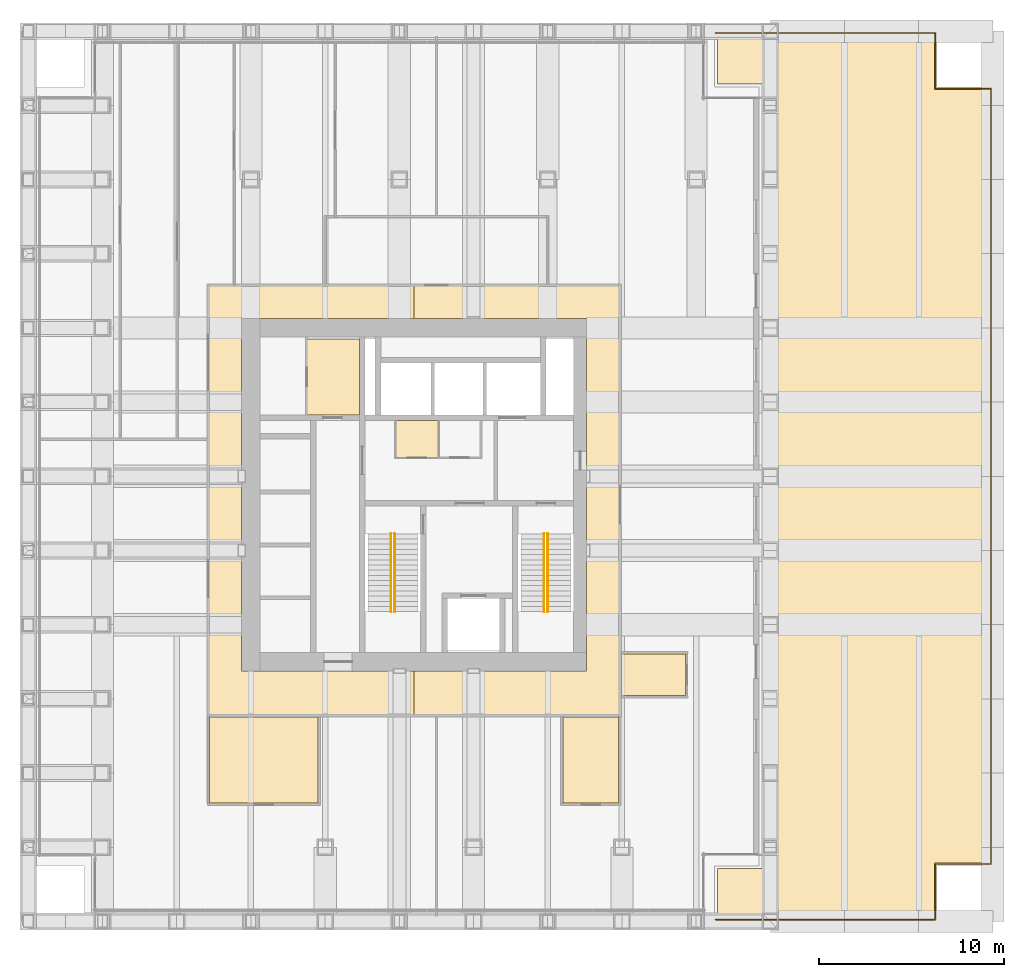
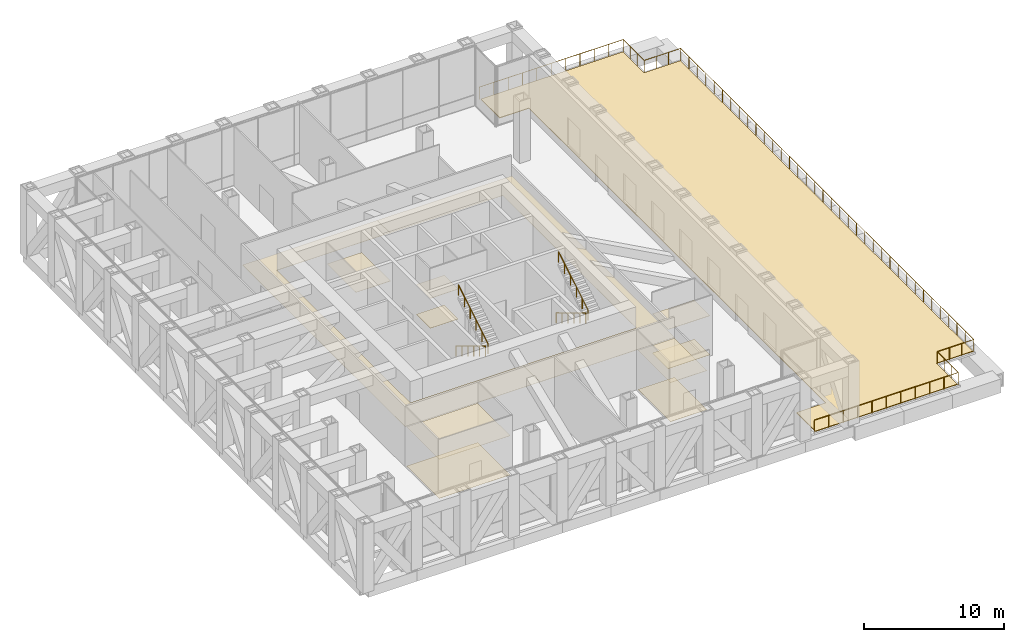
# One storey, part 13 of 13: 12 coverings, 5 railings.
"""IFC4 building model written with IfcOpenShell, lengths in metres."""

from ifc_helpers import new_model, si_unit, direction, frame, origin, origin_2d, place, context, subcontext, project, spatial, polyline, circle, outline, extrude, material, layer, layer_set, type_object, element, save


model = new_model("IFC4")

# Units and contexts
model_context = context("Model", 3, precision=1e-05, world=origin(), true_north=direction((0.0, 1.0)))
body_context = subcontext(model_context, "Body", "Model", "MODEL_VIEW")
ifc_project = project(units=[si_unit("LENGTHUNIT", "METRE"), si_unit("AREAUNIT", "SQUARE_METRE"), si_unit("VOLUMEUNIT", "CUBIC_METRE"), si_unit("PLANEANGLEUNIT", "RADIAN"), si_unit("MASSUNIT", "GRAM", prefix="KILO")], contexts=[model_context])

# Site, building, storey
site_placement = place(None, origin())
site = spatial("IfcSite", under=ifc_project, at=site_placement, CompositionType="ELEMENT")
building_placement = place(site_placement, origin())
building = spatial("IfcBuilding", under=site, at=building_placement, Name="Rimbunsela Tower", CompositionType="ELEMENT")
storey_placement = place(building_placement, frame((0.0, 0.0, 137.39990234375)))
storey = spatial("IfcBuildingStorey", under=building, at=storey_placement, Name="L33", CompositionType="ELEMENT", Elevation=137.39990234375)

# Coverings
ifc_material_1 = material(Name="Nylon carpet tile", Category="textile")
ifc_layer_1 = layer(ifc_material_1, 0.010009765625)
ifc_layer_set_1 = layer_set([ifc_layer_1], Name="Carpet tile 10")
covering_type_1 = type_object("IfcCoveringType", Name="Carpet tile 10", PredefinedType="FLOORING", material=ifc_layer_set_1)
covering_1_placement = place(storey_placement, origin())
element("IfcCovering", 1, at=covering_1_placement, inside=storey, type_object=covering_type_1, Name="Floor finish Maintenance workshop", PredefinedType="FLOORING", context=body_context, shape_type="SweptSolid", body=[
    extrude(outline(polyline([(21.625, 10.375), (21.625, 15.02490234375), (15.77490234375, 15.02490234375), (15.77490234375, 10.375), (21.625, 10.375)])), origin(), (0.0, 0.0, 1.0), 0.010009765625),
])
covering_2_placement = place(storey_placement, origin())
element("IfcCovering", 2, at=covering_2_placement, inside=storey, type_object=covering_type_1, Name="Floor finish First aid room", PredefinedType="FLOORING", context=body_context, shape_type="SweptSolid", body=[
    extrude(outline(polyline([(37.824951171875, 10.375), (37.824951171875, 15.02490234375), (34.824951171875, 15.02490234375), (34.824951171875, 10.375), (37.824951171875, 10.375)])), origin(), (0.0, 0.0, 1.0), 0.010009765625),
])
covering_3_placement = place(storey_placement, origin())
element("IfcCovering", 3, at=covering_3_placement, inside=storey, type_object=covering_type_1, Name="Floor finish Quiet room", PredefinedType="FLOORING", context=body_context, shape_type="SweptSolid", body=[
    extrude(outline(polyline([(41.425048828125, 16.175048828125), (41.425048828125, 18.425048828125), (37.97509765625, 18.425048828125), (37.97509765625, 16.175048828125), (41.425048828125, 16.175048828125)])), origin(), (0.0, 0.0, 1.0), 0.010009765625),
])
ifc_material_2 = material(Name="Mineral fibre ceiling tile", Category="gypsum")
ifc_layer_2 = layer(ifc_material_2, 0.02001953125)
ifc_layer_set_2 = layer_set([ifc_layer_2], Name="Ceiling 600 grid")
covering_type_2 = type_object("IfcCoveringType", Name="Ceiling 600 grid", PredefinedType="CEILING", material=ifc_layer_set_2)
covering_4_placement = place(storey_placement, frame((0.0, 0.0, 3.400146484375)))
element("IfcCovering", 4, at=covering_4_placement, inside=storey, type_object=covering_type_2, Name="Ceiling IT room", PredefinedType="CEILING", context=body_context, shape_type="SweptSolid", body=[
    extrude(outline(polyline([(23.85009765625, 31.300048828125), (23.85009765625, 35.39990234375), (21.0, 35.39990234375), (21.0, 31.300048828125), (23.85009765625, 31.300048828125)])), origin(), (0.0, 0.0, 1.0), 0.02001953125),
])
covering_5_placement = place(storey_placement, frame((0.0, 0.0, 3.400146484375)))
element("IfcCovering", 5, at=covering_5_placement, inside=storey, type_object=covering_type_2, Name="Ceiling Ring corridor", PredefinedType="CEILING", context=body_context, shape_type="SweptSolid", body=[
    extrude(outline(polyline([(15.699951171875, 38.300048828125), (26.800048828125, 38.300048828125), (26.800048828125, 36.5), (17.5, 36.5), (17.5, 17.5), (26.800048828125, 17.5), (26.800048828125, 15.10009765625), (15.699951171875, 15.10009765625), (15.699951171875, 38.300048828125)])), origin(), (0.0, 0.0, 1.0), 0.02001953125),
])
covering_6_placement = place(storey_placement, frame((0.0, 0.0, 3.400146484375)))
element("IfcCovering", 6, at=covering_6_placement, inside=storey, type_object=covering_type_2, Name="Ceiling Ring corridor", PredefinedType="CEILING", context=body_context, shape_type="SweptSolid", body=[
    extrude(outline(polyline([(37.89990234375, 38.300048828125), (37.89990234375, 15.10009765625), (26.800048828125, 15.10009765625), (26.800048828125, 17.5), (36.10009765625, 17.5), (36.10009765625, 36.5), (26.800048828125, 36.5), (26.800048828125, 38.300048828125), (37.89990234375, 38.300048828125)])), origin(), (0.0, 0.0, 1.0), 0.02001953125),
])
covering_7_placement = place(storey_placement, frame((0.0, 0.0, 3.400146484375)))
element("IfcCovering", 7, at=covering_7_placement, inside=storey, type_object=covering_type_2, Name="Ceiling Maintenance workshop", PredefinedType="CEILING", context=body_context, shape_type="SweptSolid", body=[
    extrude(outline(polyline([(21.625, 10.375), (21.625, 15.02490234375), (15.77490234375, 15.02490234375), (15.77490234375, 10.375), (21.625, 10.375)])), origin(), (0.0, 0.0, 1.0), 0.02001953125),
])
covering_8_placement = place(storey_placement, frame((0.0, 0.0, 3.400146484375)))
element("IfcCovering", 8, at=covering_8_placement, inside=storey, type_object=covering_type_2, Name="Ceiling First aid room", PredefinedType="CEILING", context=body_context, shape_type="SweptSolid", body=[
    extrude(outline(polyline([(37.824951171875, 10.375), (37.824951171875, 15.02490234375), (34.824951171875, 15.02490234375), (34.824951171875, 10.375), (37.824951171875, 10.375)])), origin(), (0.0, 0.0, 1.0), 0.02001953125),
])
covering_9_placement = place(storey_placement, frame((0.0, 0.0, 3.400146484375)))
element("IfcCovering", 9, at=covering_9_placement, inside=storey, type_object=covering_type_2, Name="Ceiling Quiet room", PredefinedType="CEILING", context=body_context, shape_type="SweptSolid", body=[
    extrude(outline(polyline([(41.425048828125, 16.175048828125), (41.425048828125, 18.425048828125), (37.97509765625, 18.425048828125), (37.97509765625, 16.175048828125), (41.425048828125, 16.175048828125)])), origin(), (0.0, 0.0, 1.0), 0.02001953125),
])
ifc_material_3 = material(Name="Moisture-resistant plasterboard ceiling", Category="gypsum")
ifc_layer_3 = layer(ifc_material_3, 0.012451171875)
ifc_layer_set_3 = layer_set([ifc_layer_3], Name="Ceiling moisture-resistant board")
covering_type_3 = type_object("IfcCoveringType", Name="Ceiling moisture-resistant board", PredefinedType="CEILING", material=ifc_layer_set_3)
covering_10_placement = place(storey_placement, frame((0.0, 0.0, 2.60009765625)))
element("IfcCovering", 10, at=covering_10_placement, inside=storey, type_object=covering_type_3, Name="Ceiling Staff WC", PredefinedType="CEILING", context=body_context, shape_type="SweptSolid", body=[
    extrude(outline(polyline([(28.10009765625, 29.0), (28.10009765625, 31.0), (25.800048828125, 31.0), (25.800048828125, 29.0), (28.10009765625, 29.0)])), origin(), (0.0, 0.0, 1.0), 0.02001953125),
])
ifc_material_4 = material(Name="Porcelain floor tile in adhesive bed", Category="ceramic")
ifc_layer_4 = layer(ifc_material_4, 0.02001953125)
ifc_layer_set_4 = layer_set([ifc_layer_4], Name="Porcelain tile 20")
covering_type_4 = type_object("IfcCoveringType", Name="Porcelain tile 20", PredefinedType="FLOORING", material=ifc_layer_set_4)
covering_11_placement = place(storey_placement, origin())
element("IfcCovering", 11, at=covering_11_placement, inside=storey, type_object=covering_type_4, Name="Floor finish Staff WC", PredefinedType="FLOORING", context=body_context, shape_type="SweptSolid", body=[
    extrude(outline(polyline([(28.10009765625, 29.0), (28.10009765625, 31.0), (25.800048828125, 31.0), (25.800048828125, 29.0), (28.10009765625, 29.0)])), origin(), (0.0, 0.0, 1.0), 0.02001953125),
])

# Railings
ifc_material_5 = material(Name="Stainless steel tube", Category="steel")
railing_type_1 = type_object("IfcRailingType", Name="Stair handrail 900", PredefinedType="HANDRAIL", material=ifc_material_5)
railing_1_placement = place(storey_placement, frame((25.550048828125, 24.89990234375, 0.1689453125)))
element("IfcRailing", 12, at=railing_1_placement, inside=storey, type_object=railing_type_1, Name="Handrail ST-A flight 1", PredefinedType="HANDRAIL", context=body_context, shape_type="SweptSolid", body=[
    extrude(circle(Radius=0.02392578125, at=origin_2d()), frame((0.0, 0.0, 0.8759765625), z_axis=(0.0, -0.856476492594, 0.516186030065), x_axis=(1.0, 0.0, 0.0)), (0.0, 0.0, 1.0), 4.90380859375),
    extrude(circle(Radius=0.02099609375, at=origin_2d()), origin(), (0.0, 0.0, 1.0), 0.851806640625),
    extrude(circle(Radius=0.02099609375, at=origin_2d()), frame((0.0, -0.840087890625, 0.50634765625)), (0.0, 0.0, 1.0), 0.851806640625),
    extrude(circle(Radius=0.02099609375, at=origin_2d()), frame((0.0, -1.679931640625, 1.012451171875)), (0.0, 0.0, 1.0), 0.851806640625),
    extrude(circle(Radius=0.02099609375, at=origin_2d()), frame((0.0, -2.52001953125, 1.518798828125)), (0.0, 0.0, 1.0), 0.851806640625),
    extrude(circle(Radius=0.02099609375, at=origin_2d()), frame((0.0, -3.35986328125, 2.02490234375)), (0.0, 0.0, 1.0), 0.851806640625),
    extrude(circle(Radius=0.02099609375, at=origin_2d()), frame((0.0, -4.199951171875, 2.53125)), (0.0, 0.0, 1.0), 0.851806640625),
])
railing_2_placement = place(storey_placement, frame((25.75, 20.699951171875, 2.868896484375)))
element("IfcRailing", 13, at=railing_2_placement, inside=storey, type_object=railing_type_1, Name="Handrail ST-A flight 2", PredefinedType="HANDRAIL", context=body_context, shape_type="SweptSolid", body=[
    extrude(circle(Radius=0.02392578125, at=origin_2d()), frame((0.0, 0.0, 0.8759765625), z_axis=(0.0, 0.856476492594, 0.516186030065), x_axis=(-1.0, 0.0, 0.0)), (0.0, 0.0, 1.0), 4.90380859375),
    extrude(circle(Radius=0.02099609375, at=origin_2d()), origin(), (0.0, 0.0, 1.0), 0.851806640625),
    extrude(circle(Radius=0.02099609375, at=origin_2d()), frame((0.0, 0.840087890625, 0.50634765625)), (0.0, 0.0, 1.0), 0.851806640625),
    extrude(circle(Radius=0.02099609375, at=origin_2d()), frame((0.0, 1.679931640625, 1.012451171875)), (0.0, 0.0, 1.0), 0.851806640625),
    extrude(circle(Radius=0.02099609375, at=origin_2d()), frame((0.0, 2.52001953125, 1.518798828125)), (0.0, 0.0, 1.0), 0.851806640625),
    extrude(circle(Radius=0.02099609375, at=origin_2d()), frame((0.0, 3.35986328125, 2.02490234375)), (0.0, 0.0, 1.0), 0.851806640625),
    extrude(circle(Radius=0.02099609375, at=origin_2d()), frame((0.0, 4.199951171875, 2.53125)), (0.0, 0.0, 1.0), 0.851806640625),
])
railing_3_placement = place(storey_placement, frame((33.800048828125, 24.89990234375, 0.1689453125)))
element("IfcRailing", 14, at=railing_3_placement, inside=storey, type_object=railing_type_1, Name="Handrail ST-B flight 1", PredefinedType="HANDRAIL", context=body_context, shape_type="SweptSolid", body=[
    extrude(circle(Radius=0.02392578125, at=origin_2d()), frame((0.0, 0.0, 0.8759765625), z_axis=(0.0, -0.856476492594, 0.516186030065), x_axis=(1.0, 0.0, 0.0)), (0.0, 0.0, 1.0), 4.90380859375),
    extrude(circle(Radius=0.02099609375, at=origin_2d()), origin(), (0.0, 0.0, 1.0), 0.851806640625),
    extrude(circle(Radius=0.02099609375, at=origin_2d()), frame((0.0, -0.840087890625, 0.50634765625)), (0.0, 0.0, 1.0), 0.851806640625),
    extrude(circle(Radius=0.02099609375, at=origin_2d()), frame((0.0, -1.679931640625, 1.012451171875)), (0.0, 0.0, 1.0), 0.851806640625),
    extrude(circle(Radius=0.02099609375, at=origin_2d()), frame((0.0, -2.52001953125, 1.518798828125)), (0.0, 0.0, 1.0), 0.851806640625),
    extrude(circle(Radius=0.02099609375, at=origin_2d()), frame((0.0, -3.35986328125, 2.02490234375)), (0.0, 0.0, 1.0), 0.851806640625),
    extrude(circle(Radius=0.02099609375, at=origin_2d()), frame((0.0, -4.199951171875, 2.53125)), (0.0, 0.0, 1.0), 0.851806640625),
])
railing_4_placement = place(storey_placement, frame((34.0, 20.699951171875, 2.868896484375)))
element("IfcRailing", 15, at=railing_4_placement, inside=storey, type_object=railing_type_1, Name="Handrail ST-B flight 2", PredefinedType="HANDRAIL", context=body_context, shape_type="SweptSolid", body=[
    extrude(circle(Radius=0.02392578125, at=origin_2d()), frame((0.0, 0.0, 0.8759765625), z_axis=(0.0, 0.856476492594, 0.516186030065), x_axis=(-1.0, 0.0, 0.0)), (0.0, 0.0, 1.0), 4.90380859375),
    extrude(circle(Radius=0.02099609375, at=origin_2d()), origin(), (0.0, 0.0, 1.0), 0.851806640625),
    extrude(circle(Radius=0.02099609375, at=origin_2d()), frame((0.0, 0.840087890625, 0.50634765625)), (0.0, 0.0, 1.0), 0.851806640625),
    extrude(circle(Radius=0.02099609375, at=origin_2d()), frame((0.0, 1.679931640625, 1.012451171875)), (0.0, 0.0, 1.0), 0.851806640625),
    extrude(circle(Radius=0.02099609375, at=origin_2d()), frame((0.0, 2.52001953125, 1.518798828125)), (0.0, 0.0, 1.0), 0.851806640625),
    extrude(circle(Radius=0.02099609375, at=origin_2d()), frame((0.0, 3.35986328125, 2.02490234375)), (0.0, 0.0, 1.0), 0.851806640625),
    extrude(circle(Radius=0.02099609375, at=origin_2d()), frame((0.0, 4.199951171875, 2.53125)), (0.0, 0.0, 1.0), 0.851806640625),
])
ifc_material_6 = material(Name="Laminated glass balustrade", Category="glass")
railing_type_2 = type_object("IfcRailingType", Name="Terrace guard 1100", PredefinedType="GUARDRAIL", material=ifc_material_6)
railing_5_placement = place(storey_placement, frame((43.050048828125, 51.89990234375, 0.0)))
element("IfcRailing", 16, at=railing_5_placement, inside=storey, type_object=railing_type_2, Name="Terrace guard L33", PredefinedType="GUARDRAIL", context=body_context, shape_type="SweptSolid", body=[
    extrude(circle(Radius=0.02392578125, at=origin_2d()), frame((0.0, 0.0, 1.076171875), z_axis=(1.0, 0.0, 0.0), x_axis=(0.0, 1.0, 0.0)), (0.0, 0.0, 1.0), 11.849853515625),
    extrude(circle(Radius=0.02392578125, at=origin_2d()), frame((11.849853515625, 0.0, 1.076171875), z_axis=(0.0, -1.0, 0.0), x_axis=(1.0, 0.0, 0.0)), (0.0, 0.0, 1.0), 3.0),
    extrude(circle(Radius=0.02392578125, at=origin_2d()), frame((11.849853515625, -3.0, 1.076171875), z_axis=(1.0, 0.0, 0.0), x_axis=(0.0, 1.0, 0.0)), (0.0, 0.0, 1.0), 3.0),
    extrude(circle(Radius=0.02392578125, at=origin_2d()), frame((14.849853515625, -3.0, 1.076171875), z_axis=(0.0, -1.0, 0.0), x_axis=(1.0, 0.0, 0.0)), (0.0, 0.0, 1.0), 41.7998046875),
    extrude(circle(Radius=0.02392578125, at=origin_2d()), frame((14.849853515625, -44.7998046875, 1.076171875), z_axis=(-1.0, 0.0, 0.0), x_axis=(0.0, -1.0, 0.0)), (0.0, 0.0, 1.0), 3.0),
    extrude(circle(Radius=0.02392578125, at=origin_2d()), frame((11.849853515625, -44.7998046875, 1.076171875), z_axis=(0.0, -1.0, 0.0), x_axis=(1.0, 0.0, 0.0)), (0.0, 0.0, 1.0), 3.0),
    extrude(circle(Radius=0.02392578125, at=origin_2d()), frame((11.849853515625, -47.7998046875, 1.076171875), z_axis=(-1.0, 0.0, 0.0), x_axis=(0.0, -1.0, 0.0)), (0.0, 0.0, 1.0), 11.849853515625),
    extrude(circle(Radius=0.02099609375, at=origin_2d()), origin(), (0.0, 0.0, 1.0), 1.052001953125),
    extrude(circle(Radius=0.02099609375, at=origin_2d()), frame((1.18505859375, 0.0, 0.0)), (0.0, 0.0, 1.0), 1.052001953125),
    extrude(circle(Radius=0.02099609375, at=origin_2d()), frame((2.369873046875, 0.0, 0.0)), (0.0, 0.0, 1.0), 1.052001953125),
    extrude(circle(Radius=0.02099609375, at=origin_2d()), frame((3.554931640625, 0.0, 0.0)), (0.0, 0.0, 1.0), 1.052001953125),
    extrude(circle(Radius=0.02099609375, at=origin_2d()), frame((4.739990234375, 0.0, 0.0)), (0.0, 0.0, 1.0), 1.052001953125),
    extrude(circle(Radius=0.02099609375, at=origin_2d()), frame((5.9248046875, 0.0, 0.0)), (0.0, 0.0, 1.0), 1.052001953125),
    extrude(circle(Radius=0.02099609375, at=origin_2d()), frame((7.10986328125, 0.0, 0.0)), (0.0, 0.0, 1.0), 1.052001953125),
    extrude(circle(Radius=0.02099609375, at=origin_2d()), frame((8.294921875, 0.0, 0.0)), (0.0, 0.0, 1.0), 1.052001953125),
    extrude(circle(Radius=0.02099609375, at=origin_2d()), frame((9.47998046875, 0.0, 0.0)), (0.0, 0.0, 1.0), 1.052001953125),
    extrude(circle(Radius=0.02099609375, at=origin_2d()), frame((10.664794921875, 0.0, 0.0)), (0.0, 0.0, 1.0), 1.052001953125),
    extrude(circle(Radius=0.02099609375, at=origin_2d()), frame((11.849853515625, 0.0, 0.0)), (0.0, 0.0, 1.0), 1.052001953125),
    extrude(circle(Radius=0.02099609375, at=origin_2d()), frame((11.849853515625, -1.0, 0.0)), (0.0, 0.0, 1.0), 1.052001953125),
    extrude(circle(Radius=0.02099609375, at=origin_2d()), frame((11.849853515625, -2.0, 0.0)), (0.0, 0.0, 1.0), 1.052001953125),
    extrude(circle(Radius=0.02099609375, at=origin_2d()), frame((11.849853515625, -3.0, 0.0)), (0.0, 0.0, 1.0), 1.052001953125),
    extrude(circle(Radius=0.02099609375, at=origin_2d()), frame((12.849853515625, -3.0, 0.0)), (0.0, 0.0, 1.0), 1.052001953125),
    extrude(circle(Radius=0.02099609375, at=origin_2d()), frame((13.849853515625, -3.0, 0.0)), (0.0, 0.0, 1.0), 1.052001953125),
    extrude(circle(Radius=0.02099609375, at=origin_2d()), frame((14.849853515625, -3.0, 0.0)), (0.0, 0.0, 1.0), 1.052001953125),
    extrude(circle(Radius=0.02099609375, at=origin_2d()), frame((14.849853515625, -4.1943359375, 0.0)), (0.0, 0.0, 1.0), 1.052001953125),
    extrude(circle(Radius=0.02099609375, at=origin_2d()), frame((14.849853515625, -5.388671875, 0.0)), (0.0, 0.0, 1.0), 1.052001953125),
    extrude(circle(Radius=0.02099609375, at=origin_2d()), frame((14.849853515625, -6.582763671875, 0.0)), (0.0, 0.0, 1.0), 1.052001953125),
    extrude(circle(Radius=0.02099609375, at=origin_2d()), frame((14.849853515625, -7.777099609375, 0.0)), (0.0, 0.0, 1.0), 1.052001953125),
    extrude(circle(Radius=0.02099609375, at=origin_2d()), frame((14.849853515625, -8.971435546875, 0.0)), (0.0, 0.0, 1.0), 1.052001953125),
    extrude(circle(Radius=0.02099609375, at=origin_2d()), frame((14.849853515625, -10.165771484375, 0.0)), (0.0, 0.0, 1.0), 1.052001953125),
    extrude(circle(Radius=0.02099609375, at=origin_2d()), frame((14.849853515625, -11.35986328125, 0.0)), (0.0, 0.0, 1.0), 1.052001953125),
    extrude(circle(Radius=0.02099609375, at=origin_2d()), frame((14.849853515625, -12.55419921875, 0.0)), (0.0, 0.0, 1.0), 1.052001953125),
    extrude(circle(Radius=0.02099609375, at=origin_2d()), frame((14.849853515625, -13.74853515625, 0.0)), (0.0, 0.0, 1.0), 1.052001953125),
    extrude(circle(Radius=0.02099609375, at=origin_2d()), frame((14.849853515625, -14.94287109375, 0.0)), (0.0, 0.0, 1.0), 1.052001953125),
    extrude(circle(Radius=0.02099609375, at=origin_2d()), frame((14.849853515625, -16.136962890625, 0.0)), (0.0, 0.0, 1.0), 1.052001953125),
    extrude(circle(Radius=0.02099609375, at=origin_2d()), frame((14.849853515625, -17.331298828125, 0.0)), (0.0, 0.0, 1.0), 1.052001953125),
    extrude(circle(Radius=0.02099609375, at=origin_2d()), frame((14.849853515625, -18.525634765625, 0.0)), (0.0, 0.0, 1.0), 1.052001953125),
    extrude(circle(Radius=0.02099609375, at=origin_2d()), frame((14.849853515625, -19.719970703125, 0.0)), (0.0, 0.0, 1.0), 1.052001953125),
    extrude(circle(Radius=0.02099609375, at=origin_2d()), frame((14.849853515625, -20.914306640625, 0.0)), (0.0, 0.0, 1.0), 1.052001953125),
    extrude(circle(Radius=0.02099609375, at=origin_2d()), frame((14.849853515625, -22.1083984375, 0.0)), (0.0, 0.0, 1.0), 1.052001953125),
    extrude(circle(Radius=0.02099609375, at=origin_2d()), frame((14.849853515625, -23.302734375, 0.0)), (0.0, 0.0, 1.0), 1.052001953125),
    extrude(circle(Radius=0.02099609375, at=origin_2d()), frame((14.849853515625, -24.4970703125, 0.0)), (0.0, 0.0, 1.0), 1.052001953125),
    extrude(circle(Radius=0.02099609375, at=origin_2d()), frame((14.849853515625, -25.69140625, 0.0)), (0.0, 0.0, 1.0), 1.052001953125),
    extrude(circle(Radius=0.02099609375, at=origin_2d()), frame((14.849853515625, -26.885498046875, 0.0)), (0.0, 0.0, 1.0), 1.052001953125),
    extrude(circle(Radius=0.02099609375, at=origin_2d()), frame((14.849853515625, -28.079833984375, 0.0)), (0.0, 0.0, 1.0), 1.052001953125),
    extrude(circle(Radius=0.02099609375, at=origin_2d()), frame((14.849853515625, -29.274169921875, 0.0)), (0.0, 0.0, 1.0), 1.052001953125),
    extrude(circle(Radius=0.02099609375, at=origin_2d()), frame((14.849853515625, -30.468505859375, 0.0)), (0.0, 0.0, 1.0), 1.052001953125),
    extrude(circle(Radius=0.02099609375, at=origin_2d()), frame((14.849853515625, -31.662841796875, 0.0)), (0.0, 0.0, 1.0), 1.052001953125),
    extrude(circle(Radius=0.02099609375, at=origin_2d()), frame((14.849853515625, -32.85693359375, 0.0)), (0.0, 0.0, 1.0), 1.052001953125),
    extrude(circle(Radius=0.02099609375, at=origin_2d()), frame((14.849853515625, -34.05126953125, 0.0)), (0.0, 0.0, 1.0), 1.052001953125),
    extrude(circle(Radius=0.02099609375, at=origin_2d()), frame((14.849853515625, -35.24560546875, 0.0)), (0.0, 0.0, 1.0), 1.052001953125),
    extrude(circle(Radius=0.02099609375, at=origin_2d()), frame((14.849853515625, -36.43994140625, 0.0)), (0.0, 0.0, 1.0), 1.052001953125),
    extrude(circle(Radius=0.02099609375, at=origin_2d()), frame((14.849853515625, -37.634033203125, 0.0)), (0.0, 0.0, 1.0), 1.052001953125),
    extrude(circle(Radius=0.02099609375, at=origin_2d()), frame((14.849853515625, -38.828369140625, 0.0)), (0.0, 0.0, 1.0), 1.052001953125),
    extrude(circle(Radius=0.02099609375, at=origin_2d()), frame((14.849853515625, -40.022705078125, 0.0)), (0.0, 0.0, 1.0), 1.052001953125),
    extrude(circle(Radius=0.02099609375, at=origin_2d()), frame((14.849853515625, -41.217041015625, 0.0)), (0.0, 0.0, 1.0), 1.052001953125),
    extrude(circle(Radius=0.02099609375, at=origin_2d()), frame((14.849853515625, -42.4111328125, 0.0)), (0.0, 0.0, 1.0), 1.052001953125),
    extrude(circle(Radius=0.02099609375, at=origin_2d()), frame((14.849853515625, -43.60546875, 0.0)), (0.0, 0.0, 1.0), 1.052001953125),
    extrude(circle(Radius=0.02099609375, at=origin_2d()), frame((14.849853515625, -44.7998046875, 0.0)), (0.0, 0.0, 1.0), 1.052001953125),
    extrude(circle(Radius=0.02099609375, at=origin_2d()), frame((13.849853515625, -44.7998046875, 0.0)), (0.0, 0.0, 1.0), 1.052001953125),
    extrude(circle(Radius=0.02099609375, at=origin_2d()), frame((12.849853515625, -44.7998046875, 0.0)), (0.0, 0.0, 1.0), 1.052001953125),
    extrude(circle(Radius=0.02099609375, at=origin_2d()), frame((11.849853515625, -44.7998046875, 0.0)), (0.0, 0.0, 1.0), 1.052001953125),
    extrude(circle(Radius=0.02099609375, at=origin_2d()), frame((11.849853515625, -45.7998046875, 0.0)), (0.0, 0.0, 1.0), 1.052001953125),
    extrude(circle(Radius=0.02099609375, at=origin_2d()), frame((11.849853515625, -46.7998046875, 0.0)), (0.0, 0.0, 1.0), 1.052001953125),
    extrude(circle(Radius=0.02099609375, at=origin_2d()), frame((11.849853515625, -47.7998046875, 0.0)), (0.0, 0.0, 1.0), 1.052001953125),
    extrude(circle(Radius=0.02099609375, at=origin_2d()), frame((10.664794921875, -47.7998046875, 0.0)), (0.0, 0.0, 1.0), 1.052001953125),
    extrude(circle(Radius=0.02099609375, at=origin_2d()), frame((9.47998046875, -47.7998046875, 0.0)), (0.0, 0.0, 1.0), 1.052001953125),
    extrude(circle(Radius=0.02099609375, at=origin_2d()), frame((8.294921875, -47.7998046875, 0.0)), (0.0, 0.0, 1.0), 1.052001953125),
    extrude(circle(Radius=0.02099609375, at=origin_2d()), frame((7.10986328125, -47.7998046875, 0.0)), (0.0, 0.0, 1.0), 1.052001953125),
    extrude(circle(Radius=0.02099609375, at=origin_2d()), frame((5.9248046875, -47.7998046875, 0.0)), (0.0, 0.0, 1.0), 1.052001953125),
    extrude(circle(Radius=0.02099609375, at=origin_2d()), frame((4.739990234375, -47.7998046875, 0.0)), (0.0, 0.0, 1.0), 1.052001953125),
    extrude(circle(Radius=0.02099609375, at=origin_2d()), frame((3.554931640625, -47.7998046875, 0.0)), (0.0, 0.0, 1.0), 1.052001953125),
    extrude(circle(Radius=0.02099609375, at=origin_2d()), frame((2.369873046875, -47.7998046875, 0.0)), (0.0, 0.0, 1.0), 1.052001953125),
    extrude(circle(Radius=0.02099609375, at=origin_2d()), frame((1.18505859375, -47.7998046875, 0.0)), (0.0, 0.0, 1.0), 1.052001953125),
    extrude(circle(Radius=0.02099609375, at=origin_2d()), frame((0.0, -47.7998046875, 0.0)), (0.0, 0.0, 1.0), 1.052001953125),
])

# Covering
ifc_material_7 = material(Name="Porcelain paving on pedestals", Category="masonry")
ifc_layer_5 = layer(ifc_material_7, 0.050048828125)
ifc_layer_set_5 = layer_set([ifc_layer_5], Name="Terrace paving 50")
covering_type_5 = type_object("IfcCoveringType", Name="Terrace paving 50", PredefinedType="FLOORING", material=ifc_layer_set_5)
covering_12_placement = place(storey_placement, origin())
element("IfcCovering", 17, at=covering_12_placement, inside=storey, type_object=covering_type_5, Name="Terrace paving L33", PredefinedType="FLOORING", context=body_context, shape_type="SweptSolid", body=[
    extrude(outline(polyline([(54.85009765625, 51.85009765625), (54.85009765625, 48.85009765625), (57.85009765625, 48.85009765625), (57.85009765625, 7.14990234375), (54.85009765625, 7.14990234375), (54.85009765625, 4.14990234375), (43.14990234375, 4.14990234375), (43.14990234375, 6.85009765625), (45.550048828125, 6.85009765625), (45.550048828125, 49.14990234375), (43.14990234375, 49.14990234375), (43.14990234375, 51.85009765625), (54.85009765625, 51.85009765625)])), origin(), (0.0, 0.0, 1.0), 0.050048828125),
])

save(model, "model.ifc")
